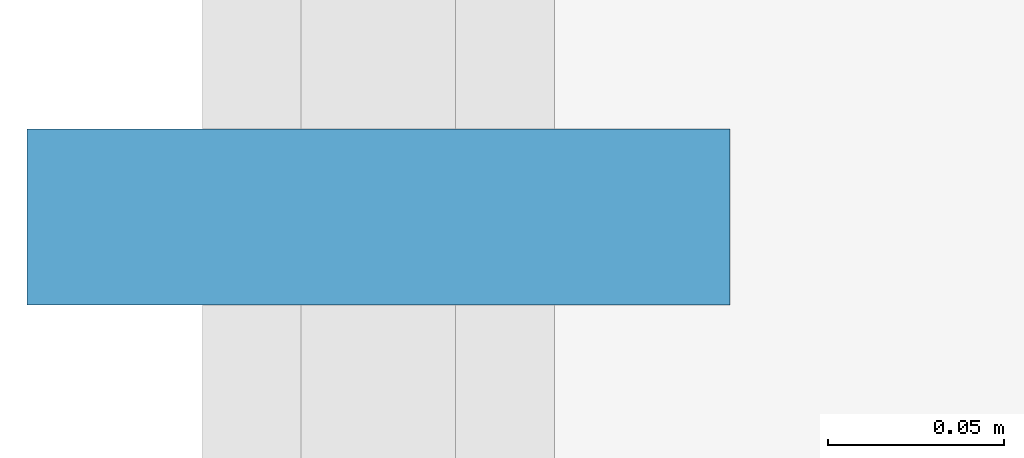
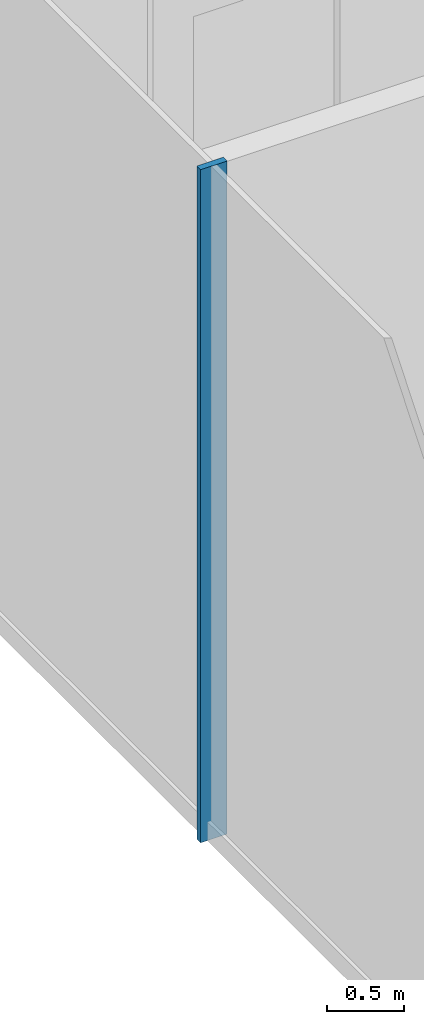
# One storey, part 8 of 36: 1 member, 1 element without a shape of its own.
"""IFC4 building model written with IfcOpenShell, lengths in metres."""

from ifc_helpers import new_model, si_unit, direction, frame, origin, origin_2d, place, context, subcontext, project, spatial, rectangle, extrude, material, layer, layer_set, material_profile, profile_set, type_object, element, aggregate, save


model = new_model("IFC4")

# Units and contexts
model_context = context("Model", 3, precision=1e-05, world=origin(), true_north=direction((0.0, 1.0)))
body_context = subcontext(model_context, "Body", "Model", "MODEL_VIEW")
ifc_project = project(units=[si_unit("LENGTHUNIT", "METRE"), si_unit("AREAUNIT", "SQUARE_METRE"), si_unit("VOLUMEUNIT", "CUBIC_METRE"), si_unit("PLANEANGLEUNIT", "RADIAN"), si_unit("MASSUNIT", "GRAM", prefix="KILO")], contexts=[model_context])

# Site, building, storey
site_placement = place(None, origin())
site = spatial("IfcSite", under=ifc_project, at=site_placement, CompositionType="ELEMENT")
building_placement = place(site_placement, origin())
building = spatial("IfcBuilding", under=site, at=building_placement, Name="Plateau Cross Towers", CompositionType="ELEMENT")
storey_placement = place(building_placement, frame((0.0, 0.0, 21.800048828125)))
storey = spatial("IfcBuildingStorey", under=building, at=storey_placement, Name="L04", CompositionType="ELEMENT", Elevation=21.800048828125)

# Curtain wall, member
ifc_material_1 = material(Name="Dark low-iron laminated glass", Category="glass")
ifc_layer = layer(ifc_material_1, 0.300048828125)
ifc_layer_set = layer_set([ifc_layer], Name="Dark low-iron laminated glass")
curtain_wall_type = type_object("IfcCurtainWallType", Name="Curtain wall structural silicone CW-C", PredefinedType="NOTDEFINED", material=ifc_layer_set)
curtain_wall_placement = place(storey_placement, origin())
curtain_wall = element("IfcCurtainWall", 1, at=curtain_wall_placement, inside=storey, type_object=curtain_wall_type, Name="ENV/P/L04/P-58_568", PredefinedType="NOTDEFINED")
ifc_material_2 = material(Name="Black anodised aluminium", Category="aluminium")
ifc_material_profile = material_profile(ifc_material_2, rectangle(XDim=0.050048828125, YDim=0.199951171875, at=origin_2d()), Name="MULLION 50x200")
ifc_profile_set = profile_set([ifc_material_profile], Name="Black anodised aluminium")
member_type = type_object("IfcMemberType", Name="Mullion 50x200 structural silicone", PredefinedType="MULLION", material=ifc_profile_set)
member_placement = place(storey_placement, frame((-5.85009765625, 21.81005859375, -0.35009765625), z_axis=(0.0, 0.0, 1.0), x_axis=(0.0, -1.0, 0.0)))
member = element("IfcMember", 2, at=member_placement, type_object=member_type, Name="CW-C mullion 9", PredefinedType="MULLION", context=body_context, shape_type="SweptSolid", body=[
    extrude(rectangle(XDim=0.050048828125, YDim=0.199951171875, at=origin_2d()), origin(), (0.0, 0.0, 1.0), 5.35009765625),
])
aggregate(curtain_wall, [member])

save(model, "model.ifc")
